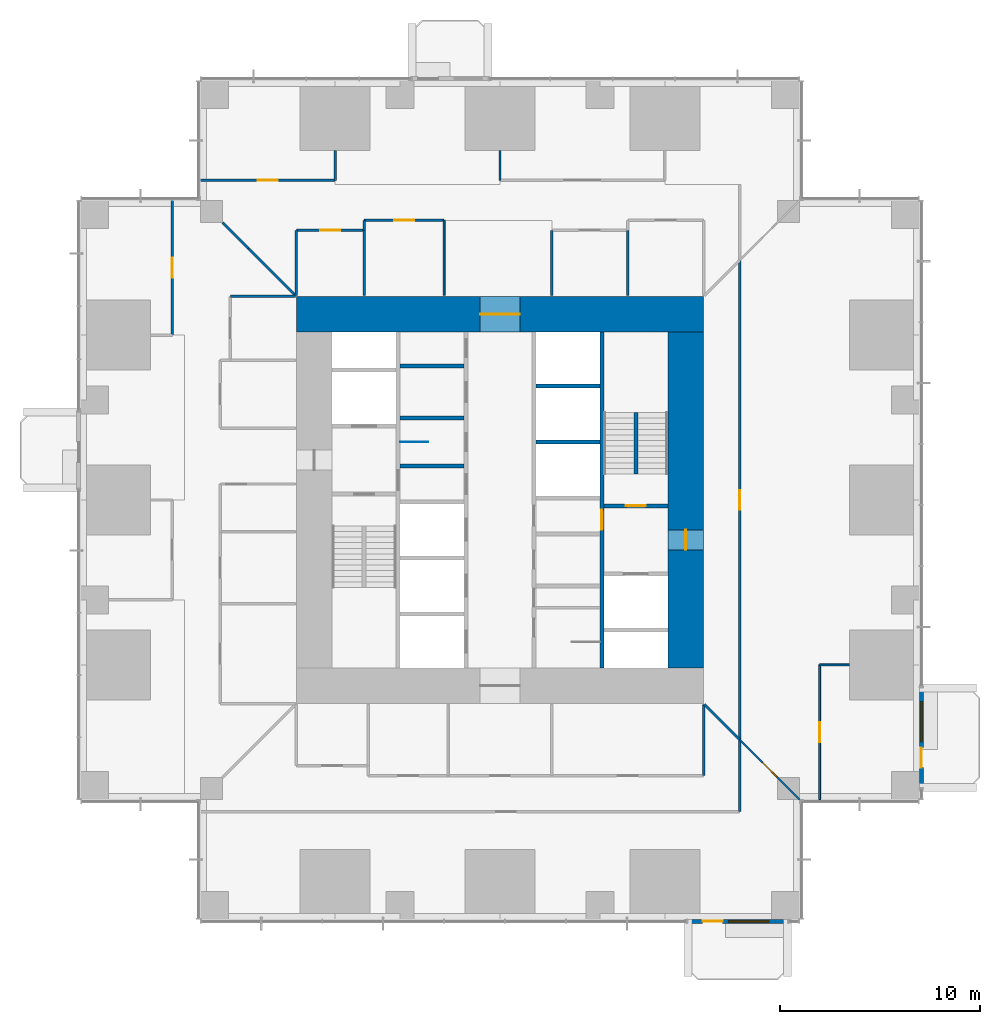
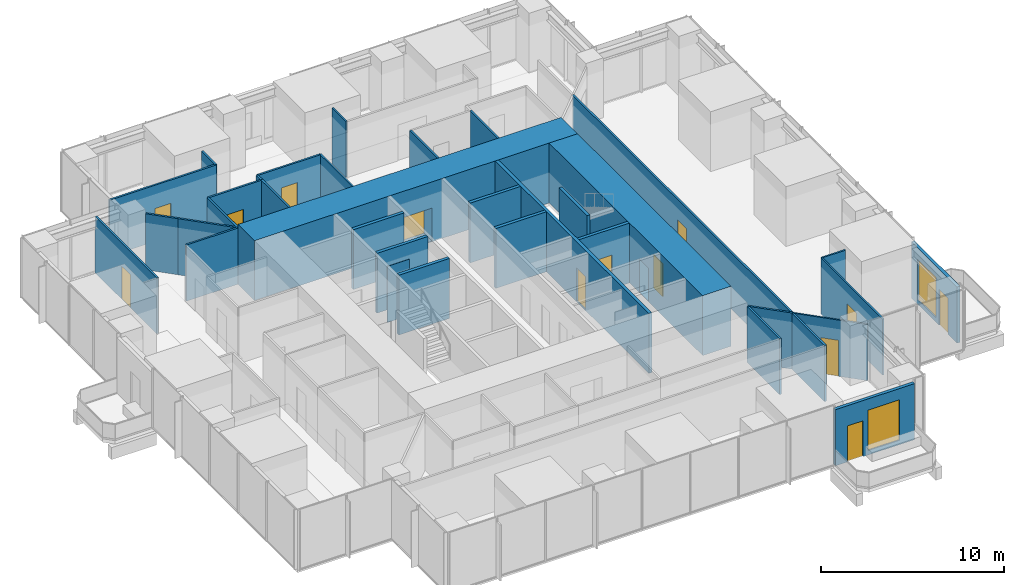
# One storey, part 11 of 15: 35 walls, 13 doors, 2 windows, 15 openings.
"""IFC4 building model written with IfcOpenShell, lengths in metres."""

from ifc_helpers import new_model, si_unit, direction, frame, frame_2d, origin, place, context, subcontext, project, spatial, rectangle, extrude, material, layer, layer_set, type_object, element, fill, save


model = new_model("IFC4")

# Units and contexts
model_context = context("Model", 3, precision=1e-05, world=origin(), true_north=direction((0.0, 1.0)))
body_context = subcontext(model_context, "Body", "Model", "MODEL_VIEW")
ifc_project = project(units=[si_unit("LENGTHUNIT", "METRE"), si_unit("AREAUNIT", "SQUARE_METRE"), si_unit("VOLUMEUNIT", "CUBIC_METRE"), si_unit("PLANEANGLEUNIT", "RADIAN"), si_unit("MASSUNIT", "GRAM", prefix="KILO")], contexts=[model_context])

# Site, building, storey
site_placement = place(None, origin())
site = spatial("IfcSite", under=ifc_project, at=site_placement, CompositionType="ELEMENT")
building_placement = place(site_placement, origin())
building = spatial("IfcBuilding", under=site, at=building_placement, Name="Svetlomir Tower", CompositionType="ELEMENT")
storey_placement = place(building_placement, frame((0.0, 0.0, 34.5)))
storey = spatial("IfcBuildingStorey", under=building, at=storey_placement, Name="L07", CompositionType="ELEMENT", Elevation=34.5)

# Wall, openings, door, window
ifc_material_1 = material(Name="Bronze anodised aluminium glazed screen", Category="aluminium")
ifc_layer_1 = layer(ifc_material_1, 0.199951171875)
ifc_layer_set_1 = layer_set([ifc_layer_1], Name="Bronze anodised aluminium glazed screen")
wall_type_1 = type_object("IfcWallType", Name="BALCONY SCREEN WALL 200", PredefinedType="USERDEFINED", material=ifc_layer_set_1)
wall_1_placement = place(storey_placement, frame((30.39990234375, -0.10009765625, 0.0), z_axis=(0.0, 0.0, 1.0), x_axis=(1.0, 0.0, 0.0)))
wall_1 = element("IfcWall", 1, at=wall_1_placement, inside=storey, type_object=wall_type_1, Name="Balcony screen S", ObjectType="GLAZED SCREEN", PredefinedType="USERDEFINED", context=body_context, shape_type="SweptSolid", body=[
    extrude(rectangle(XDim=5.0, YDim=0.199951171875, at=frame_2d((2.5, 0.0))), origin(), (0.0, 0.0, 1.0), 3.75),
])
opening_1_placement = place(wall_1_placement, frame((0.75, 0.0, 0.0)))
opening_1 = element("IfcOpeningElement", 2, at=opening_1_placement, cuts=wall_1, Name="Opening BD", PredefinedType="OPENING", context=body_context, shape_type="SweptSolid", body=[
    extrude(rectangle(XDim=1.0, YDim=2.39990234375, at=frame_2d((0.5, 1.199951171875))), frame((0.0, 0.10986328125, 0.0), z_axis=(0.0, -1.0, 0.0), x_axis=(1.0, 0.0, 0.0)), (0.0, 0.0, 1.0), 0.219970703125),
])
opening_2_placement = place(wall_1_placement, frame((2.050048828125, 0.0, 0.300048828125)))
opening_2 = element("IfcOpeningElement", 3, at=opening_2_placement, cuts=wall_1, Name="Opening WS", PredefinedType="OPENING", context=body_context, shape_type="SweptSolid", body=[
    extrude(rectangle(XDim=2.0, YDim=2.699951171875, at=frame_2d((1.0, 1.35009765625))), frame((0.0, 0.10986328125, 0.0), z_axis=(0.0, -1.0, 0.0), x_axis=(1.0, 0.0, 0.0)), (0.0, 0.0, 1.0), 0.219970703125),
])
ifc_material_2 = material(Name="Bronze anodised aluminium glazed door", Category="aluminium")
door_type_1 = type_object("IfcDoorType", Name="BALCONY DOOR BD 1000x2400", OperationType="SINGLE_SWING_LEFT", PredefinedType="DOOR", material=ifc_material_2)
door_1_placement = place(opening_1_placement, origin())
door_1 = element("IfcDoor", 4, at=door_1_placement, inside=storey, type_object=door_type_1, Name="Balcony screen S door", OperationType="SINGLE_SWING_LEFT", OverallHeight=2.39990234375, OverallWidth=1.0, PredefinedType="DOOR", context=body_context, shape_type="SweptSolid", body=[
    extrude(rectangle(XDim=1.0, YDim=2.39990234375, at=frame_2d((0.5, 1.199951171875))), frame((0.0, 0.02490234375, 0.0), z_axis=(0.0, -1.0, 0.0), x_axis=(1.0, 0.0, 0.0)), (0.0, 0.0, 1.0), 0.050048828125),
])
fill(opening_1, door_1)
ifc_material_3 = material(Name="Bronze anodised aluminium window", Category="aluminium")
window_type = type_object("IfcWindowType", Name="SCREEN WINDOW WS 2000x2700", PartitioningType="SINGLE_PANEL", PredefinedType="WINDOW", material=ifc_material_3)
window_1_placement = place(opening_2_placement, origin())
window_1 = element("IfcWindow", 5, at=window_1_placement, inside=storey, type_object=window_type, Name="Balcony screen S window 1", OverallHeight=2.699951171875, OverallWidth=2.0, PartitioningType="SINGLE_PANEL", PredefinedType="WINDOW", context=body_context, shape_type="SweptSolid", body=[
    extrude(rectangle(XDim=2.0, YDim=2.699951171875, at=frame_2d((1.0, 1.35009765625))), frame((0.0, 0.030029296875, 0.0), z_axis=(0.0, -1.0, 0.0), x_axis=(1.0, 0.0, 0.0)), (0.0, 0.0, 1.0), 0.06005859375),
])
fill(opening_2, window_1)

wall_2_placement = place(storey_placement, frame((42.10009765625, 6.60009765625, 0.0), z_axis=(0.0, 0.0, 1.0), x_axis=(0.0, 1.0, 0.0)))
wall_2 = element("IfcWall", 6, at=wall_2_placement, inside=storey, type_object=wall_type_1, Name="Balcony screen E", ObjectType="GLAZED SCREEN", PredefinedType="USERDEFINED", context=body_context, shape_type="SweptSolid", body=[
    extrude(rectangle(XDim=5.0, YDim=0.199951171875, at=frame_2d((2.5, 0.0))), origin(), (0.0, 0.0, 1.0), 3.75),
])
opening_3_placement = place(wall_2_placement, frame((1.0, 0.0, 0.0)))
opening_3 = element("IfcOpeningElement", 7, at=opening_3_placement, cuts=wall_2, Name="Opening BD", PredefinedType="OPENING", context=body_context, shape_type="SweptSolid", body=[
    extrude(rectangle(XDim=1.0, YDim=2.39990234375, at=frame_2d((0.5, 1.199951171875))), frame((0.0, 0.10986328125, 0.0), z_axis=(0.0, -1.0, 0.0), x_axis=(1.0, 0.0, 0.0)), (0.0, 0.0, 1.0), 0.219970703125),
])
opening_4_placement = place(wall_2_placement, frame((2.300048828125, 0.0, 0.300048828125)))
opening_4 = element("IfcOpeningElement", 8, at=opening_4_placement, cuts=wall_2, Name="Opening WS", PredefinedType="OPENING", context=body_context, shape_type="SweptSolid", body=[
    extrude(rectangle(XDim=2.0, YDim=2.699951171875, at=frame_2d((1.0, 1.35009765625))), frame((0.0, 0.10986328125, 0.0), z_axis=(0.0, -1.0, 0.0), x_axis=(1.0, 0.0, 0.0)), (0.0, 0.0, 1.0), 0.219970703125),
])
door_2_placement = place(opening_3_placement, origin())
door_2 = element("IfcDoor", 9, at=door_2_placement, inside=storey, type_object=door_type_1, Name="Balcony screen E door", OperationType="SINGLE_SWING_LEFT", OverallHeight=2.39990234375, OverallWidth=1.0, PredefinedType="DOOR", context=body_context, shape_type="SweptSolid", body=[
    extrude(rectangle(XDim=1.0, YDim=2.39990234375, at=frame_2d((0.5, 1.199951171875))), frame((0.0, 0.02490234375, 0.0), z_axis=(0.0, -1.0, 0.0), x_axis=(1.0, 0.0, 0.0)), (0.0, 0.0, 1.0), 0.050048828125),
])
fill(opening_3, door_2)
window_2_placement = place(opening_4_placement, origin())
window_2 = element("IfcWindow", 10, at=window_2_placement, inside=storey, type_object=window_type, Name="Balcony screen E window 1", OverallHeight=2.699951171875, OverallWidth=2.0, PartitioningType="SINGLE_PANEL", PredefinedType="WINDOW", context=body_context, shape_type="SweptSolid", body=[
    extrude(rectangle(XDim=2.0, YDim=2.699951171875, at=frame_2d((1.0, 1.35009765625))), frame((0.0, 0.030029296875, 0.0), z_axis=(0.0, -1.0, 0.0), x_axis=(1.0, 0.0, 0.0)), (0.0, 0.0, 1.0), 0.06005859375),
])
fill(opening_4, window_2)

# Wall, opening, door
ifc_material_4 = material(Name="Concrete C60/75", Category="concrete")
ifc_layer_2 = layer(ifc_material_4, 0.199951171875)
ifc_layer_set_2 = layer_set([ifc_layer_2], Name="Concrete C60/75")
wall_type_2 = type_object("IfcWallType", Name="CORE INNER WALL 200", PredefinedType="SHEAR", material=ifc_layer_set_2)
wall_3_placement = place(storey_placement, frame((26.10009765625, 12.60009765625, -0.050048828125), z_axis=(0.0, 0.0, 1.0), x_axis=(0.0, 1.0, 0.0)))
wall_3 = element("IfcWall", 11, at=wall_3_placement, inside=storey, type_object=wall_type_2, Name="Core inner wall 26.1 L07", PredefinedType="SHEAR", context=body_context, shape_type="SweptSolid", body=[
    extrude(rectangle(XDim=16.7998046875, YDim=0.199951171875, at=frame_2d((8.39990234375, 0.0))), origin(), (0.0, 0.0, 1.0), 4.0),
])
opening_5_placement = place(wall_3_placement, frame((6.89990234375, 0.0, 0.050048828125)))
opening_5 = element("IfcOpeningElement", 12, at=opening_5_placement, cuts=wall_3, Name="Opening DF", PredefinedType="OPENING", context=body_context, shape_type="SweptSolid", body=[
    extrude(rectangle(XDim=1.0, YDim=2.199951171875, at=frame_2d((0.5, 1.10009765625))), frame((0.0, 0.10986328125, 0.0), z_axis=(0.0, -1.0, 0.0), x_axis=(1.0, 0.0, 0.0)), (0.0, 0.0, 1.0), 0.219970703125),
])
ifc_material_5 = material(Name="Steel fire door", Category="steel")
door_type_2 = type_object("IfcDoorType", Name="DOOR DF 1000x2200", OperationType="SINGLE_SWING_LEFT", PredefinedType="DOOR", material=ifc_material_5)
door_3_placement = place(opening_5_placement, origin())
door_3 = element("IfcDoor", 13, at=door_3_placement, inside=storey, type_object=door_type_2, Name="Core corridor east door L07", OperationType="SINGLE_SWING_LEFT", OverallHeight=2.199951171875, OverallWidth=1.0, PredefinedType="DOOR", context=body_context, shape_type="SweptSolid", body=[
    extrude(rectangle(XDim=1.0, YDim=2.199951171875, at=frame_2d((0.5, 1.10009765625))), frame((0.0, 0.02490234375, 0.0), z_axis=(0.0, -1.0, 0.0), x_axis=(1.0, 0.0, 0.0)), (0.0, 0.0, 1.0), 0.050048828125),
])
fill(opening_5, door_3)

# Walls
for number, where, z_axis, x_axis, name in (
    (14, (16.0, 22.699951171875, -0.050048828125), (0.0, 0.0, 1.0), (1.0, 0.0, 0.0), "Core inner wall 16-19.2/22.7 L07"),
    (15, (16.0, 25.10009765625, -0.050048828125), (0.0, 0.0, 1.0), (1.0, 0.0, 0.0), "Core inner wall 16-19.2/25.1 L07"),
    (16, (16.0, 27.699951171875, -0.050048828125), (0.0, 0.0, 1.0), (1.0, 0.0, 0.0), "Core inner wall 16-19.2/27.7 L07"),
    (17, (22.800048828125, 23.89990234375, -0.050048828125), (0.0, 0.0, 1.0), (1.0, 0.0, 0.0), "Core inner wall 22.8-26/23.9 L07"),
    (18, (22.800048828125, 26.699951171875, -0.050048828125), (0.0, 0.0, 1.0), (1.0, 0.0, 0.0), "Core inner wall 22.8-26/26.7 L07"),
):
    element("IfcWall", number, at=place(storey_placement, frame(where, z_axis=z_axis, x_axis=x_axis)), inside=storey, type_object=wall_type_2, Name=name, PredefinedType="SHEAR", context=body_context, shape_type="SweptSolid", body=[
        extrude(rectangle(XDim=3.199951171875, YDim=0.199951171875, at=frame_2d((1.60009765625, 0.0))), origin(), (0.0, 0.0, 1.0), 4.0),
    ])

# Wall, opening, door
wall_4_placement = place(storey_placement, frame((26.199951171875, 20.699951171875, -0.050048828125), z_axis=(0.0, 0.0, 1.0), x_axis=(1.0, 0.0, 0.0)))
wall_4 = element("IfcWall", 19, at=wall_4_placement, inside=storey, type_object=wall_type_2, Name="Core inner wall 26.2-29.4/20.7 L07", PredefinedType="SHEAR", context=body_context, shape_type="SweptSolid", body=[
    extrude(rectangle(XDim=3.199951171875, YDim=0.199951171875, at=frame_2d((1.60009765625, 0.0))), origin(), (0.0, 0.0, 1.0), 4.0),
])
opening_6_placement = place(wall_4_placement, frame((1.10009765625, 0.0, 0.050048828125)))
opening_6 = element("IfcOpeningElement", 20, at=opening_6_placement, cuts=wall_4, Name="Opening DF", PredefinedType="OPENING", context=body_context, shape_type="SweptSolid", body=[
    extrude(rectangle(XDim=1.0, YDim=2.199951171875, at=frame_2d((0.5, 1.10009765625))), frame((0.0, 0.10986328125, 0.0), z_axis=(0.0, -1.0, 0.0), x_axis=(1.0, 0.0, 0.0)), (0.0, 0.0, 1.0), 0.219970703125),
])
door_4_placement = place(opening_6_placement, origin())
door_4 = element("IfcDoor", 21, at=door_4_placement, inside=storey, type_object=door_type_2, Name="Stair S2 door L07", OperationType="SINGLE_SWING_LEFT", OverallHeight=2.199951171875, OverallWidth=1.0, PredefinedType="DOOR", context=body_context, shape_type="SweptSolid", body=[
    extrude(rectangle(XDim=1.0, YDim=2.199951171875, at=frame_2d((0.5, 1.10009765625))), frame((0.0, 0.02490234375, 0.0), z_axis=(0.0, -1.0, 0.0), x_axis=(1.0, 0.0, 0.0)), (0.0, 0.0, 1.0), 0.050048828125),
])
fill(opening_6, door_4)

ifc_material_6 = material(Name="Concrete C60/75", Category="concrete")
ifc_layer_3 = layer(ifc_material_6, 1.800048828125)
ifc_layer_set_3 = layer_set([ifc_layer_3], Name="Concrete C60/75")
wall_type_3 = type_object("IfcWallType", Name="CORE WALL 1800", PredefinedType="SHEAR", material=ifc_layer_set_3)
wall_5_placement = place(storey_placement, frame((10.800048828125, 30.300048828125, -0.050048828125), z_axis=(0.0, 0.0, 1.0), x_axis=(1.0, 0.0, 0.0)))
wall_5 = element("IfcWall", 22, at=wall_5_placement, inside=storey, type_object=wall_type_3, Name="Core wall north L07", PredefinedType="SHEAR", context=body_context, shape_type="SweptSolid", body=[
    extrude(rectangle(XDim=20.39990234375, YDim=1.800048828125, at=frame_2d((10.199951171875, 0.0))), origin(), (0.0, 0.0, 1.0), 4.0),
])
opening_7_placement = place(wall_5_placement, frame((9.199951171875, 0.0, 0.050048828125)))
opening_7 = element("IfcOpeningElement", 23, at=opening_7_placement, cuts=wall_5, Name="Opening DL", PredefinedType="OPENING", context=body_context, shape_type="SweptSolid", body=[
    extrude(rectangle(XDim=2.0, YDim=2.199951171875, at=frame_2d((1.0, 1.10009765625))), frame((0.0, 0.91015625, 0.0), z_axis=(0.0, -1.0, 0.0), x_axis=(1.0, 0.0, 0.0)), (0.0, 0.0, 1.0), 1.820068359375),
])
ifc_material_7 = material(Name="Steel fire door", Category="steel")
door_type_3 = type_object("IfcDoorType", Name="DOOR DL 2000x2200", OperationType="DOUBLE_DOOR_SINGLE_SWING", PredefinedType="DOOR", material=ifc_material_7)
door_5_placement = place(opening_7_placement, origin())
door_5 = element("IfcDoor", 24, at=door_5_placement, inside=storey, type_object=door_type_3, Name="Lift lobby north door L07", OperationType="DOUBLE_DOOR_SINGLE_SWING", OverallHeight=2.199951171875, OverallWidth=2.0, PredefinedType="DOOR", context=body_context, shape_type="SweptSolid", body=[
    extrude(rectangle(XDim=2.0, YDim=2.199951171875, at=frame_2d((1.0, 1.10009765625))), frame((0.0, 0.02490234375, 0.0), z_axis=(0.0, -1.0, 0.0), x_axis=(1.0, 0.0, 0.0)), (0.0, 0.0, 1.0), 0.050048828125),
])
fill(opening_7, door_5)

wall_6_placement = place(storey_placement, frame((30.300048828125, 12.60009765625, -0.050048828125), z_axis=(0.0, 0.0, 1.0), x_axis=(0.0, 1.0, 0.0)))
wall_6 = element("IfcWall", 25, at=wall_6_placement, inside=storey, type_object=wall_type_3, Name="Core wall east L07", PredefinedType="SHEAR", context=body_context, shape_type="SweptSolid", body=[
    extrude(rectangle(XDim=16.7998046875, YDim=1.800048828125, at=frame_2d((8.39990234375, 0.0))), origin(), (0.0, 0.0, 1.0), 4.0),
])
opening_8_placement = place(wall_6_placement, frame((5.89990234375, 0.0, 0.050048828125)))
opening_8 = element("IfcOpeningElement", 26, at=opening_8_placement, cuts=wall_6, Name="Opening DF", PredefinedType="OPENING", context=body_context, shape_type="SweptSolid", body=[
    extrude(rectangle(XDim=1.0, YDim=2.199951171875, at=frame_2d((0.5, 1.10009765625))), frame((0.0, 0.91015625, 0.0), z_axis=(0.0, -1.0, 0.0), x_axis=(1.0, 0.0, 0.0)), (0.0, 0.0, 1.0), 1.820068359375),
])
door_6_placement = place(opening_8_placement, origin())
door_6 = element("IfcDoor", 27, at=door_6_placement, inside=storey, type_object=door_type_2, Name="Firefighting lobby east door L07", OperationType="SINGLE_SWING_LEFT", OverallHeight=2.199951171875, OverallWidth=1.0, PredefinedType="DOOR", context=body_context, shape_type="SweptSolid", body=[
    extrude(rectangle(XDim=1.0, YDim=2.199951171875, at=frame_2d((0.5, 1.10009765625))), frame((0.0, 0.02490234375, 0.0), z_axis=(0.0, -1.0, 0.0), x_axis=(1.0, 0.0, 0.0)), (0.0, 0.0, 1.0), 0.050048828125),
])
fill(opening_8, door_6)

# Walls
ifc_material_8 = material(Name="Framed laminated glass partition", Category="glass")
ifc_layer_4 = layer(ifc_material_8, 0.10009765625)
ifc_layer_set_4 = layer_set([ifc_layer_4], Name="Framed laminated glass partition")
wall_type_4 = type_object("IfcWallType", Name="GLAZED PARTITION 100", PredefinedType="PARTITIONING", material=ifc_layer_set_4)
wall_7_placement = place(storey_placement, frame((18.199951171875, 31.25, 0.0), z_axis=(0.0, 0.0, 1.0), x_axis=(0.0, 1.0, 0.0)))
element("IfcWall", 28, at=wall_7_placement, inside=storey, type_object=wall_type_4, Name="Glazed partition L07", PredefinedType="PARTITIONING", context=body_context, shape_type="SweptSolid", body=[
    extrude(rectangle(XDim=3.75, YDim=0.10009765625, at=frame_2d((1.875, 0.0))), origin(), (0.0, 0.0, 1.0), 3.75),
])
wall_8_placement = place(storey_placement, frame((21.0, 37.0, 0.0), z_axis=(0.0, 0.0, 1.0), x_axis=(0.0, 1.0, 0.0)))
element("IfcWall", 29, at=wall_8_placement, inside=storey, type_object=wall_type_4, Name="Glazed partition L07", PredefinedType="PARTITIONING", context=body_context, shape_type="SweptSolid", body=[
    extrude(rectangle(XDim=1.489990234375, YDim=0.10009765625, at=frame_2d((0.7451171875, 0.0))), origin(), (0.0, 0.0, 1.0), 3.75),
])

# Wall, opening, door
wall_9_placement = place(storey_placement, frame((37.0, 6.0, 0.0), z_axis=(0.0, 0.0, 1.0), x_axis=(0.0, 1.0, 0.0)))
wall_9 = element("IfcWall", 30, at=wall_9_placement, inside=storey, type_object=wall_type_4, Name="Glazed partition L07", PredefinedType="PARTITIONING", context=body_context, shape_type="SweptSolid", body=[
    extrude(rectangle(XDim=6.75, YDim=0.10009765625, at=frame_2d((3.375, 0.0))), origin(), (0.0, 0.0, 1.0), 3.75),
])
opening_9_placement = place(wall_9_placement, frame((2.875, 0.0, 0.0)))
opening_9 = element("IfcOpeningElement", 31, at=opening_9_placement, cuts=wall_9, Name="Opening DG", PredefinedType="OPENING", context=body_context, shape_type="SweptSolid", body=[
    extrude(rectangle(XDim=1.0, YDim=2.39990234375, at=frame_2d((0.5, 1.199951171875))), frame((0.0, 0.06005859375, 0.0), z_axis=(0.0, -1.0, 0.0), x_axis=(1.0, 0.0, 0.0)), (0.0, 0.0, 1.0), 0.1201171875),
])
ifc_material_9 = material(Name="Framed laminated glass door", Category="glass")
door_type_4 = type_object("IfcDoorType", Name="GLAZED DOOR DG 1000x2400", OperationType="SINGLE_SWING_LEFT", PredefinedType="DOOR", material=ifc_material_9)
door_7_placement = place(opening_9_placement, origin())
door_7 = element("IfcDoor", 32, at=door_7_placement, inside=storey, type_object=door_type_4, Name="Dealers' break-out and kitchenette door L07", OperationType="SINGLE_SWING_LEFT", OverallHeight=2.39990234375, OverallWidth=1.0, PredefinedType="DOOR", context=body_context, shape_type="SweptSolid", body=[
    extrude(rectangle(XDim=1.0, YDim=2.39990234375, at=frame_2d((0.5, 1.199951171875))), frame((0.0, 0.02490234375, 0.0), z_axis=(0.0, -1.0, 0.0), x_axis=(1.0, 0.0, 0.0)), (0.0, 0.0, 1.0), 0.050048828125),
])
fill(opening_9, door_7)

# Wall
wall_10_placement = place(storey_placement, frame((37.0, 12.75, 0.0), z_axis=(0.0, 0.0, 1.0), x_axis=(1.0, 0.0, 0.0)))
element("IfcWall", 33, at=wall_10_placement, inside=storey, type_object=wall_type_4, Name="Glazed partition L07", PredefinedType="PARTITIONING", context=body_context, shape_type="SweptSolid", body=[
    extrude(rectangle(XDim=1.489990234375, YDim=0.10009765625, at=frame_2d((0.7451171875, 0.0))), origin(), (0.0, 0.0, 1.0), 3.75),
])

# Wall, opening, door
wall_11_placement = place(storey_placement, frame((33.0, 9.0, 0.0), z_axis=(0.0, 0.0, 1.0), x_axis=(0.707106781187, -0.707106781187, 0.0)))
wall_11 = element("IfcWall", 34, at=wall_11_placement, inside=storey, type_object=wall_type_4, Name="Glazed screen L07", PredefinedType="PARTITIONING", context=body_context, shape_type="SweptSolid", body=[
    extrude(rectangle(XDim=4.24267578125, YDim=0.10009765625, at=frame_2d((2.121337890625, 0.0))), origin(), (0.0, 0.0, 1.0), 3.75),
])
opening_10_placement = place(wall_11_placement, frame((1.621337890625, 0.0, 0.0)))
opening_10 = element("IfcOpeningElement", 35, at=opening_10_placement, cuts=wall_11, Name="Opening DG", PredefinedType="OPENING", context=body_context, shape_type="SweptSolid", body=[
    extrude(rectangle(XDim=1.0, YDim=2.39990234375, at=frame_2d((0.5, 1.199951171875))), frame((0.0, 0.06005859375, 0.0), z_axis=(0.0, -1.0, 0.0), x_axis=(1.0, 0.0, 0.0)), (0.0, 0.0, 1.0), 0.1201171875),
])
door_8_placement = place(opening_10_placement, origin())
door_8 = element("IfcDoor", 36, at=door_8_placement, inside=storey, type_object=door_type_4, Name="Glazed screen door L07", OperationType="SINGLE_SWING_RIGHT", OverallHeight=2.39990234375, OverallWidth=1.0, PredefinedType="DOOR", context=body_context, shape_type="SweptSolid", body=[
    extrude(rectangle(XDim=1.0, YDim=2.39990234375, at=frame_2d((0.5, 1.199951171875))), frame((0.0, 0.02490234375, 0.0), z_axis=(0.0, -1.0, 0.0), x_axis=(1.0, 0.0, 0.0)), (0.0, 0.0, 1.0), 0.050048828125),
])
fill(opening_10, door_8)

ifc_material_10 = material(Name="Gypsum board on steel studs", Category="steel")
ifc_layer_5 = layer(ifc_material_10, 0.1201171875)
ifc_layer_set_5 = layer_set([ifc_layer_5], Name="Gypsum board on steel studs")
wall_type_5 = type_object("IfcWallType", Name="PARTITION 120", PredefinedType="PARTITIONING", material=ifc_layer_set_5)
wall_12_placement = place(storey_placement, frame((4.60009765625, 29.25, 0.0), z_axis=(0.0, 0.0, 1.0), x_axis=(0.0, 1.0, 0.0)))
wall_12 = element("IfcWall", 37, at=wall_12_placement, inside=storey, type_object=wall_type_5, Name="Partition L07", PredefinedType="PARTITIONING", context=body_context, shape_type="SweptSolid", body=[
    extrude(rectangle(XDim=6.75, YDim=0.1201171875, at=frame_2d((3.375, 0.0))), origin(), (0.0, 0.0, 1.0), 3.75),
])
opening_11_placement = place(wall_12_placement, frame((2.875, 0.0, 0.0)))
opening_11 = element("IfcOpeningElement", 38, at=opening_11_placement, cuts=wall_12, Name="Opening DR", PredefinedType="OPENING", context=body_context, shape_type="SweptSolid", body=[
    extrude(rectangle(XDim=1.0, YDim=2.199951171875, at=frame_2d((0.5, 1.10009765625))), frame((0.0, 0.070068359375, 0.0), z_axis=(0.0, -1.0, 0.0), x_axis=(1.0, 0.0, 0.0)), (0.0, 0.0, 1.0), 0.14013671875),
])
ifc_material_11 = material(Name="Timber door, glazed side light", Category="wood")
door_type_5 = type_object("IfcDoorType", Name="DOOR DR 1000x2200", OperationType="SINGLE_SWING_LEFT", PredefinedType="DOOR", material=ifc_material_11)
door_9_placement = place(opening_11_placement, origin())
door_9 = element("IfcDoor", 39, at=door_9_placement, inside=storey, type_object=door_type_5, Name="Treasury operations office door L07", OperationType="SINGLE_SWING_LEFT", OverallHeight=2.199951171875, OverallWidth=1.0, PredefinedType="DOOR", context=body_context, shape_type="SweptSolid", body=[
    extrude(rectangle(XDim=1.0, YDim=2.199951171875, at=frame_2d((0.5, 1.10009765625))), frame((0.0, 0.02490234375, 0.0), z_axis=(0.0, -1.0, 0.0), x_axis=(1.0, 0.0, 0.0)), (0.0, 0.0, 1.0), 0.050048828125),
])
fill(opening_11, door_9)

wall_13_placement = place(storey_placement, frame((6.0, 37.0, 0.0), z_axis=(0.0, 0.0, 1.0), x_axis=(1.0, 0.0, 0.0)))
wall_13 = element("IfcWall", 40, at=wall_13_placement, inside=storey, type_object=wall_type_5, Name="Partition L07", PredefinedType="PARTITIONING", context=body_context, shape_type="SweptSolid", body=[
    extrude(rectangle(XDim=6.75, YDim=0.1201171875, at=frame_2d((3.375, 0.0))), origin(), (0.0, 0.0, 1.0), 3.75),
])
opening_12_placement = place(wall_13_placement, frame((2.875, 0.0, 0.0)))
opening_12 = element("IfcOpeningElement", 41, at=opening_12_placement, cuts=wall_13, Name="Opening DR", PredefinedType="OPENING", context=body_context, shape_type="SweptSolid", body=[
    extrude(rectangle(XDim=1.0, YDim=2.199951171875, at=frame_2d((0.5, 1.10009765625))), frame((0.0, 0.070068359375, 0.0), z_axis=(0.0, -1.0, 0.0), x_axis=(1.0, 0.0, 0.0)), (0.0, 0.0, 1.0), 0.14013671875),
])
door_10_placement = place(opening_12_placement, origin())
door_10 = element("IfcDoor", 42, at=door_10_placement, inside=storey, type_object=door_type_5, Name="Head of treasury office door L07", OperationType="SINGLE_SWING_RIGHT", OverallHeight=2.199951171875, OverallWidth=1.0, PredefinedType="DOOR", context=body_context, shape_type="SweptSolid", body=[
    extrude(rectangle(XDim=1.0, YDim=2.199951171875, at=frame_2d((0.5, 1.10009765625))), frame((0.0, 0.02490234375, 0.0), z_axis=(0.0, -1.0, 0.0), x_axis=(1.0, 0.0, 0.0)), (0.0, 0.0, 1.0), 0.050048828125),
])
fill(opening_12, door_10)

# Walls
wall_14_placement = place(storey_placement, frame((7.110107421875, 34.889892578125, 0.0), z_axis=(0.0, 0.0, 1.0), x_axis=(0.707106781187, -0.707106781187, 0.0)))
element("IfcWall", 43, at=wall_14_placement, inside=storey, type_object=wall_type_5, Name="Partition L07", PredefinedType="PARTITIONING", context=body_context, shape_type="SweptSolid", body=[
    extrude(rectangle(XDim=1.822021484375, YDim=0.1201171875, at=frame_2d((0.9111328125, 0.0))), origin(), (0.0, 0.0, 1.0), 3.75),
])
wall_15_placement = place(storey_placement, frame((7.5, 31.199951171875, 0.0), z_axis=(0.0, 0.0, 1.0), x_axis=(1.0, 0.0, 0.0)))
element("IfcWall", 44, at=wall_15_placement, inside=storey, type_object=wall_type_5, Name="Partition L07", PredefinedType="PARTITIONING", context=body_context, shape_type="SweptSolid", body=[
    extrude(rectangle(XDim=3.25, YDim=0.1201171875, at=frame_2d((1.625, 0.0))), origin(), (0.0, 0.0, 1.0), 3.75),
])
wall_16_placement = place(storey_placement, frame((8.3984375, 33.6015625, 0.0), z_axis=(0.0, 0.0, 1.0), x_axis=(0.707106781187, -0.707106781187, 0.0)))
element("IfcWall", 45, at=wall_16_placement, inside=storey, type_object=wall_type_5, Name="Partition L07", PredefinedType="PARTITIONING", context=body_context, shape_type="SweptSolid", body=[
    extrude(rectangle(XDim=3.346435546875, YDim=0.1201171875, at=frame_2d((1.67333984375, 0.0))), origin(), (0.0, 0.0, 1.0), 3.75),
])
wall_17_placement = place(storey_placement, frame((10.800048828125, 31.25, 0.0), z_axis=(0.0, 0.0, 1.0), x_axis=(0.0, 1.0, 0.0)))
element("IfcWall", 46, at=wall_17_placement, inside=storey, type_object=wall_type_5, Name="Partition L07", PredefinedType="PARTITIONING", context=body_context, shape_type="SweptSolid", body=[
    extrude(rectangle(XDim=3.25, YDim=0.1201171875, at=frame_2d((1.625, 0.0))), origin(), (0.0, 0.0, 1.0), 3.75),
])

# Wall, opening, door
wall_18_placement = place(storey_placement, frame((10.800048828125, 34.5, 0.0), z_axis=(0.0, 0.0, 1.0), x_axis=(1.0, 0.0, 0.0)))
wall_18 = element("IfcWall", 47, at=wall_18_placement, inside=storey, type_object=wall_type_5, Name="Partition L07", PredefinedType="PARTITIONING", context=body_context, shape_type="SweptSolid", body=[
    extrude(rectangle(XDim=3.39990234375, YDim=0.1201171875, at=frame_2d((1.699951171875, 0.0))), origin(), (0.0, 0.0, 1.0), 3.75),
])
opening_13_placement = place(wall_18_placement, frame((1.199951171875, 0.0, 0.0)))
opening_13 = element("IfcOpeningElement", 48, at=opening_13_placement, cuts=wall_18, Name="Opening DR", PredefinedType="OPENING", context=body_context, shape_type="SweptSolid", body=[
    extrude(rectangle(XDim=1.0, YDim=2.199951171875, at=frame_2d((0.5, 1.10009765625))), frame((0.0, 0.070068359375, 0.0), z_axis=(0.0, -1.0, 0.0), x_axis=(1.0, 0.0, 0.0)), (0.0, 0.0, 1.0), 0.14013671875),
])
door_11_placement = place(opening_13_placement, origin())
door_11 = element("IfcDoor", 49, at=door_11_placement, inside=storey, type_object=door_type_5, Name="Trade recording room door L07", OperationType="SINGLE_SWING_LEFT", OverallHeight=2.199951171875, OverallWidth=1.0, PredefinedType="DOOR", context=body_context, shape_type="SweptSolid", body=[
    extrude(rectangle(XDim=1.0, YDim=2.199951171875, at=frame_2d((0.5, 1.10009765625))), frame((0.0, 0.02490234375, 0.0), z_axis=(0.0, -1.0, 0.0), x_axis=(1.0, 0.0, 0.0)), (0.0, 0.0, 1.0), 0.050048828125),
])
fill(opening_13, door_11)

# Walls
wall_19_placement = place(storey_placement, frame((12.75, 37.0, 0.0), z_axis=(0.0, 0.0, 1.0), x_axis=(0.0, 1.0, 0.0)))
element("IfcWall", 50, at=wall_19_placement, inside=storey, type_object=wall_type_5, Name="Partition L07", PredefinedType="PARTITIONING", context=body_context, shape_type="SweptSolid", body=[
    extrude(rectangle(XDim=1.489990234375, YDim=0.1201171875, at=frame_2d((0.7451171875, 0.0))), origin(), (0.0, 0.0, 1.0), 3.75),
])
wall_20_placement = place(storey_placement, frame((14.199951171875, 31.25, 0.0), z_axis=(0.0, 0.0, 1.0), x_axis=(0.0, 1.0, 0.0)))
element("IfcWall", 51, at=wall_20_placement, inside=storey, type_object=wall_type_5, Name="Partition L07", PredefinedType="PARTITIONING", context=body_context, shape_type="SweptSolid", body=[
    extrude(rectangle(XDim=3.25, YDim=0.1201171875, at=frame_2d((1.625, 0.0))), origin(), (0.0, 0.0, 1.0), 3.75),
])
wall_21_placement = place(storey_placement, frame((14.199951171875, 34.5, 0.0), z_axis=(0.0, 0.0, 1.0), x_axis=(0.0, 1.0, 0.0)))
element("IfcWall", 52, at=wall_21_placement, inside=storey, type_object=wall_type_5, Name="Partition L07", PredefinedType="PARTITIONING", context=body_context, shape_type="SweptSolid", body=[
    extrude(rectangle(XDim=0.5, YDim=0.1201171875, at=frame_2d((0.25, 0.0))), origin(), (0.0, 0.0, 1.0), 3.75),
])

# Wall, opening, door
wall_22_placement = place(storey_placement, frame((14.199951171875, 35.0, 0.0), z_axis=(0.0, 0.0, 1.0), x_axis=(1.0, 0.0, 0.0)))
wall_22 = element("IfcWall", 53, at=wall_22_placement, inside=storey, type_object=wall_type_5, Name="Partition L07", PredefinedType="PARTITIONING", context=body_context, shape_type="SweptSolid", body=[
    extrude(rectangle(XDim=4.0, YDim=0.1201171875, at=frame_2d((2.0, 0.0))), origin(), (0.0, 0.0, 1.0), 3.75),
])
opening_14_placement = place(wall_22_placement, frame((1.5, 0.0, 0.0)))
opening_14 = element("IfcOpeningElement", 54, at=opening_14_placement, cuts=wall_22, Name="Opening DG", PredefinedType="OPENING", context=body_context, shape_type="SweptSolid", body=[
    extrude(rectangle(XDim=1.0, YDim=2.39990234375, at=frame_2d((0.5, 1.199951171875))), frame((0.0, 0.070068359375, 0.0), z_axis=(0.0, -1.0, 0.0), x_axis=(1.0, 0.0, 0.0)), (0.0, 0.0, 1.0), 0.14013671875),
])
door_12_placement = place(opening_14_placement, origin())
door_12 = element("IfcDoor", 55, at=door_12_placement, inside=storey, type_object=door_type_4, Name="Meeting room, 6 seats door L07", OperationType="SINGLE_SWING_RIGHT", OverallHeight=2.39990234375, OverallWidth=1.0, PredefinedType="DOOR", context=body_context, shape_type="SweptSolid", body=[
    extrude(rectangle(XDim=1.0, YDim=2.39990234375, at=frame_2d((0.5, 1.199951171875))), frame((0.0, 0.02490234375, 0.0), z_axis=(0.0, -1.0, 0.0), x_axis=(1.0, 0.0, 0.0)), (0.0, 0.0, 1.0), 0.050048828125),
])
fill(opening_14, door_12)

# Walls
for number, where, z_axis, x_axis, name in (
    (56, (23.60009765625, 31.25, 0.0), (0.0, 0.0, 1.0), (0.0, 1.0, 0.0), "Partition L07"),
    (57, (27.39990234375, 31.25, 0.0), (0.0, 0.0, 1.0), (0.0, 1.0, 0.0), "Partition L07"),
):
    element("IfcWall", number, at=place(storey_placement, frame(where, z_axis=z_axis, x_axis=x_axis)), inside=storey, type_object=wall_type_5, Name=name, PredefinedType="PARTITIONING", context=body_context, shape_type="SweptSolid", body=[
        extrude(rectangle(XDim=3.25, YDim=0.1201171875, at=frame_2d((1.625, 0.0))), origin(), (0.0, 0.0, 1.0), 3.75),
    ])
wall_23_placement = place(storey_placement, frame((31.199951171875, 7.199951171875, 0.0), z_axis=(0.0, 0.0, 1.0), x_axis=(0.0, 1.0, 0.0)))
element("IfcWall", 58, at=wall_23_placement, inside=storey, type_object=wall_type_5, Name="Partition L07", PredefinedType="PARTITIONING", context=body_context, shape_type="SweptSolid", body=[
    extrude(rectangle(XDim=3.550048828125, YDim=0.1201171875, at=frame_2d((1.77490234375, 0.0))), origin(), (0.0, 0.0, 1.0), 3.75),
])
wall_24_placement = place(storey_placement, frame((31.2353515625, 10.7646484375, 0.0), z_axis=(0.0, 0.0, 1.0), x_axis=(0.707106781187, -0.707106781187, 0.0)))
element("IfcWall", 59, at=wall_24_placement, inside=storey, type_object=wall_type_5, Name="Partition L07", PredefinedType="PARTITIONING", context=body_context, shape_type="SweptSolid", body=[
    extrude(rectangle(XDim=2.4814453125, YDim=0.1201171875, at=frame_2d((1.24072265625, 0.0))), origin(), (0.0, 0.0, 1.0), 3.75),
])
wall_25_placement = place(storey_placement, frame((33.0, 5.39990234375, 0.0), z_axis=(0.0, 0.0, 1.0), x_axis=(0.0, 1.0, 0.0)))
element("IfcWall", 60, at=wall_25_placement, inside=storey, type_object=wall_type_5, Name="Partition L07", PredefinedType="PARTITIONING", context=body_context, shape_type="SweptSolid", body=[
    extrude(rectangle(XDim=3.590087890625, YDim=0.1201171875, at=frame_2d((1.794921875, 0.0))), origin(), (0.0, 0.0, 1.0), 3.75),
])

# Wall, opening, door
wall_26_placement = place(storey_placement, frame((33.0, 9.010009765625, 0.0), z_axis=(0.0, 0.0, 1.0), x_axis=(0.0, 1.0, 0.0)))
wall_26 = element("IfcWall", 61, at=wall_26_placement, inside=storey, type_object=wall_type_5, Name="Partition L07", PredefinedType="PARTITIONING", context=body_context, shape_type="SweptSolid", body=[
    extrude(rectangle(XDim=23.97998046875, YDim=0.1201171875, at=frame_2d((11.989990234375, 0.0))), origin(), (0.0, 0.0, 1.0), 3.75),
])
opening_15_placement = place(wall_26_placement, frame((11.489990234375, 0.0, 0.0)))
opening_15 = element("IfcOpeningElement", 62, at=opening_15_placement, cuts=wall_26, Name="Opening DG", PredefinedType="OPENING", context=body_context, shape_type="SweptSolid", body=[
    extrude(rectangle(XDim=1.0, YDim=2.39990234375, at=frame_2d((0.5, 1.199951171875))), frame((0.0, 0.070068359375, 0.0), z_axis=(0.0, -1.0, 0.0), x_axis=(1.0, 0.0, 0.0)), (0.0, 0.0, 1.0), 0.14013671875),
])
door_13_placement = place(opening_15_placement, origin())
door_13 = element("IfcDoor", 63, at=door_13_placement, inside=storey, type_object=door_type_4, Name="Ring corridor 2 door 1 L07", OperationType="SINGLE_SWING_LEFT", OverallHeight=2.39990234375, OverallWidth=1.0, PredefinedType="DOOR", context=body_context, shape_type="SweptSolid", body=[
    extrude(rectangle(XDim=1.0, YDim=2.39990234375, at=frame_2d((0.5, 1.199951171875))), frame((0.0, 0.02490234375, 0.0), z_axis=(0.0, -1.0, 0.0), x_axis=(1.0, 0.0, 0.0)), (0.0, 0.0, 1.0), 0.050048828125),
])
fill(opening_15, door_13)

# Walls
ifc_material_12 = material(Name="Concrete C60/75", Category="concrete")
ifc_layer_6 = layer(ifc_material_12, 0.199951171875)
ifc_layer_set_6 = layer_set([ifc_layer_6], Name="Concrete C60/75")
wall_type_6 = type_object("IfcWallType", Name="STAIR SPINE WALL 200", PredefinedType="PARTITIONING", material=ifc_layer_set_6)
wall_27_placement = place(storey_placement, frame((27.800048828125, 22.300048828125, 0.0), z_axis=(0.0, 0.0, 1.0), x_axis=(0.0, 1.0, 0.0)))
element("IfcWall", 64, at=wall_27_placement, inside=storey, type_object=wall_type_6, Name="Stair S2 spine wall L07", PredefinedType="PARTITIONING", context=body_context, shape_type="SweptSolid", body=[
    extrude(rectangle(XDim=3.079833984375, YDim=0.199951171875, at=frame_2d((1.5400390625, 0.0))), origin(), (0.0, 0.0, 1.0), 4.0),
])
ifc_material_13 = material(Name="Compact laminate panel", Category="plastic")
ifc_layer_7 = layer(ifc_material_13, 0.030029296875)
ifc_layer_set_7 = layer_set([ifc_layer_7], Name="Compact laminate panel")
wall_type_7 = type_object("IfcWallType", Name="WC CUBICLE PARTITION 30", PredefinedType="PARTITIONING", material=ifc_layer_set_7)
wall_28_placement = place(storey_placement, frame((16.0, 23.89990234375, 0.0), z_axis=(0.0, 0.0, 1.0), x_axis=(1.0, 0.0, 0.0)))
element("IfcWall", 65, at=wall_28_placement, inside=storey, type_object=wall_type_7, Name="WC cubicle partition L07", PredefinedType="PARTITIONING", context=body_context, shape_type="SweptSolid", body=[
    extrude(rectangle(XDim=1.39990234375, YDim=0.030029296875, at=frame_2d((0.699951171875, 0.0))), origin(), (0.0, 0.0, 1.0), 3.75),
])

save(model, "model.ifc")
